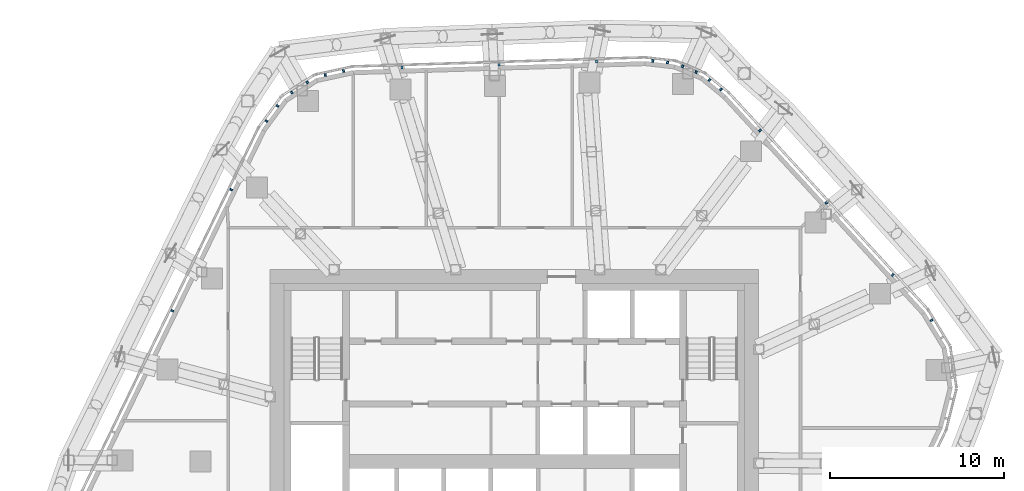
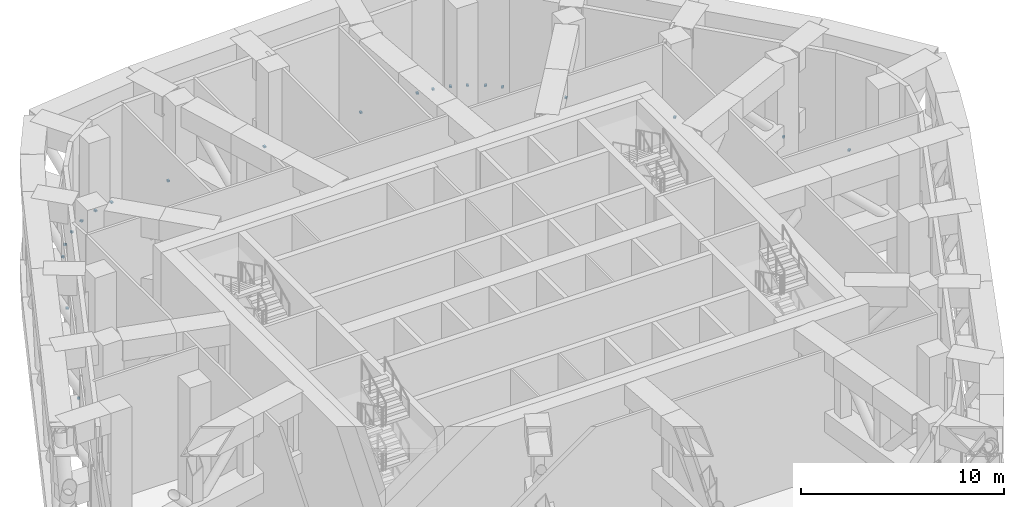
# One storey, part 17 of 21: 21 discrete accessories, 6 elements without a shape of their own.
"""IFC4 building model written with IfcOpenShell, lengths in metres."""

import ifcopenshell
import ifcopenshell.guid

model = None  # the IFC model being written
_history = None  # IfcOwnerHistory: only IFC2X3 demands one
_inside = {}  # id of a spatial element -> (the spatial element, [elements in it])
_under = {}  # id of a project, library or spatial element -> (it, [spatial elements below it])
_declared = {}  # id of a project -> (the project, [libraries it declares])
_typed = {}  # id of a type object -> (the type object, [elements of that type])
_made_of = {}  # id of a material, layer set ... -> (it, [elements and type objects made of it])


def new_model(schema):
    """Start an empty IFC model of exactly this schema.

    Asked for "IFC4X3", IfcOpenShell would pick the latest addendum, in which some entities
    have other attributes; the version numbers below select the first issue.
    IFC2X3 requires an IfcOwnerHistory on every rooted entity: one is made here for all.
    """
    global model, _history
    if schema == "IFC4X3":
        model = ifcopenshell.file(schema_version=(4, 3, 0, 0))
    else:
        model = ifcopenshell.file(schema=schema)
    _inside.clear()
    _under.clear()
    _declared.clear()
    _typed.clear()
    _made_of.clear()
    _history = None
    if model.schema == "IFC2X3":
        org = make("IfcOrganization", Name="unknown")
        user = make(
            "IfcPersonAndOrganization",
            ThePerson=make("IfcPerson", FamilyName="unknown"),
            TheOrganization=org,
        )
        app = make(
            "IfcApplication",
            ApplicationDeveloper=org,
            Version="unknown",
            ApplicationFullName="unknown",
            ApplicationIdentifier="unknown",
        )
        _history = make(
            "IfcOwnerHistory",
            OwningUser=user,
            OwningApplication=app,
            ChangeAction="ADDED",
            CreationDate=0,
        )
    return model


def make(cls, **values):
    """One entity of the class cls with the attributes given. An attribute that is None is left unset."""
    return model.create_entity(
        cls, **{name: value for name, value in values.items() if value is not None}
    )


def rooted(cls, **values):
    """An entity with a GlobalId (a new one), such as an element, a storey or a relation."""
    return make(cls, GlobalId=ifcopenshell.guid.new(), OwnerHistory=_history, **values)


def si_unit(unit_type, name, prefix=None):
    """IfcSIUnit, for example si_unit("LENGTHUNIT", "METRE", prefix="MILLI")."""
    return make("IfcSIUnit", UnitType=unit_type, Prefix=prefix, Name=name)


def assignment(units):
    """IfcUnitAssignment: the units of a project."""
    return None if units is None else make("IfcUnitAssignment", Units=units)


def point(xyz):
    """IfcCartesianPoint."""
    return None if xyz is None else make("IfcCartesianPoint", Coordinates=xyz)


def direction(xyz):
    """IfcDirection."""
    return None if xyz is None else make("IfcDirection", DirectionRatios=xyz)


def frame(location, z_axis=None, x_axis=None):
    """IfcAxis2Placement3D, a coordinate frame: its origin and axes. An axis left out is left unset."""
    return make(
        "IfcAxis2Placement3D",
        Location=point(location),
        Axis=direction(z_axis),
        RefDirection=direction(x_axis),
    )


def frame_2d(location, x_axis=None):
    """IfcAxis2Placement2D, a coordinate frame in the plane: its origin and x axis."""
    return make(
        "IfcAxis2Placement2D", Location=point(location), RefDirection=direction(x_axis)
    )


def origin():
    """The frame at (0, 0, 0) with its axes left unset."""
    return frame((0.0, 0.0, 0.0))


def origin_2d():
    """The frame at (0, 0) in the plane with its x axis left unset."""
    return frame_2d((0.0, 0.0))


def place(relative_to, where):
    """IfcLocalPlacement: puts the frame where relative to a parent placement (None: the world)."""
    return make(
        "IfcLocalPlacement", PlacementRelTo=relative_to, RelativePlacement=where
    )


def context(
    kind, dimensions, precision=None, world=None, true_north=None, identifier=None
):
    """IfcGeometricRepresentationContext, for example the 3D "Model" context."""
    return make(
        "IfcGeometricRepresentationContext",
        ContextIdentifier=identifier,
        ContextType=kind,
        CoordinateSpaceDimension=dimensions,
        Precision=precision,
        WorldCoordinateSystem=world,
        TrueNorth=true_north,
    )


def subcontext(parent, identifier, kind, view, scale=None):
    """IfcGeometricRepresentationSubContext, for example "Body" below "Model"."""
    return make(
        "IfcGeometricRepresentationSubContext",
        ContextIdentifier=identifier,
        ContextType=kind,
        ParentContext=parent,
        TargetScale=scale,
        TargetView=view,
    )


def project(units=None, contexts=None):
    """IfcProject with its units and contexts."""
    return rooted(
        "IfcProject",
        Name="project",
        RepresentationContexts=contexts,
        UnitsInContext=assignment(units),
    )


def spatial(cls, under=None, at=None, **own):
    """A site, building, storey or space (cls), placed at a placement, below another one or the project."""
    s = rooted(cls, ObjectPlacement=at, **own)
    if under is not None:
        _under.setdefault(under.id(), (under, []))[1].append(s)
    return s


def profile(cls, at=None, kind="AREA", **sizes):
    """A parametric profile (cls). Its sizes go by their IFC names, for example OverallWidth=200.0."""
    return make(cls, ProfileType=kind, Position=at, **sizes)


def rectangle(**sizes):
    """IfcRectangleProfileDef."""
    return profile("IfcRectangleProfileDef", **sizes)


def extrude(swept, where, along, depth):
    """IfcExtrudedAreaSolid: the profile swept, set in the frame where, extruded along a direction by depth."""
    return make(
        "IfcExtrudedAreaSolid",
        SweptArea=swept,
        Position=where,
        ExtrudedDirection=direction(along),
        Depth=depth,
    )


def shape(context_of_items, identifier, shape_type, items):
    """IfcShapeRepresentation: the items that make up one representation, for example the "Body"."""
    return make(
        "IfcShapeRepresentation",
        ContextOfItems=context_of_items,
        RepresentationIdentifier=identifier,
        RepresentationType=shape_type,
        Items=items,
    )


def material(Name=None, Category=None):
    """IfcMaterial."""
    return make("IfcMaterial", Name=Name, Category=Category)


def layer(
    of_material, thickness, ventilated=None, Name=None, Category=None, Priority=None
):
    """IfcMaterialLayer: one layer of a wall or slab, of a material (None: an air gap)."""
    return make(
        "IfcMaterialLayer",
        Material=of_material,
        LayerThickness=thickness,
        IsVentilated=ventilated,
        Name=Name,
        Category=Category,
        Priority=Priority,
    )


def layer_set(layers, Name=None):
    """IfcMaterialLayerSet."""
    return make("IfcMaterialLayerSet", MaterialLayers=layers, LayerSetName=Name)


def made_of(thing, what):
    """Note that an element or type object is made of a material, layer set ...; save() writes the relation."""
    if what is not None:
        _made_of.setdefault(what.id(), (what, []))[1].append(thing)
    return thing


def type_object(cls, material=None, **own):
    """A type object (cls), such as IfcWallType, which elements share."""
    return made_of(rooted(cls, **own), material)


def element(
    cls,
    number,
    at=None,
    inside=None,
    cuts=None,
    type_object=None,
    material=None,
    context=None,
    identifier="Body",
    shape_type=None,
    held_by="IfcProductDefinitionShape",
    body=None,
    shapes=None,
    **own,
):
    """One element of the class cls, such as IfcWall. Its Tag is "e" and its number.

    at: its placement. inside: the storey or other place that contains it. cuts: it is an
    opening in that element (IfcRelVoidsElement). A single representation is given by context,
    identifier, shape_type and body (its items); several are given by shapes. held_by: the class
    of the entity that holds the representations. save() writes the other relations.
    """
    e = rooted(cls, Tag="e%d" % number, ObjectPlacement=at, **own)
    if body is not None:
        shapes = [shape(context, identifier, shape_type, body)]
    if shapes is not None:
        e.Representation = make(held_by, Representations=shapes)
    if inside is not None:
        _inside.setdefault(inside.id(), (inside, []))[1].append(e)
    if cuts is not None:
        rooted(
            "IfcRelVoidsElement", RelatingBuildingElement=cuts, RelatedOpeningElement=e
        )
    if type_object is not None:
        _typed.setdefault(type_object.id(), (type_object, []))[1].append(e)
    return made_of(e, material)


def aggregate(whole, parts):
    """IfcRelAggregates: a whole, such as a stair, and the parts it consists of."""
    return rooted("IfcRelAggregates", RelatingObject=whole, RelatedObjects=parts)


def save(model, path):
    """Write the relations noted so far, then the file.

    IfcRelAggregates (storeys below a building ...), IfcRelContainedInSpatialStructure (elements
    in a storey), IfcRelDefinesByType, IfcRelAssociatesMaterial and IfcRelDeclares: one each for
    every whole, place, type object, material and project.
    """
    for whole, parts in _under.values():
        aggregate(whole, parts)
    for where, things in _inside.values():
        rooted(
            "IfcRelContainedInSpatialStructure",
            RelatedElements=things,
            RelatingStructure=where,
        )
    for kind, things in _typed.values():
        rooted("IfcRelDefinesByType", RelatedObjects=things, RelatingType=kind)
    for what, things in _made_of.values():
        rooted("IfcRelAssociatesMaterial", RelatedObjects=things, RelatingMaterial=what)
    for by, libraries in _declared.values():
        rooted("IfcRelDeclares", RelatingContext=by, RelatedDefinitions=libraries)
    model.write(path)


model = new_model("IFC4")

# Units and contexts
model_context = context("Model", 3, precision=1e-05, world=origin(), true_north=direction((0.0, 1.0)))
body_context = subcontext(model_context, "Body", "Model", "MODEL_VIEW")
ifc_project = project(units=[si_unit("LENGTHUNIT", "METRE"), si_unit("AREAUNIT", "SQUARE_METRE"), si_unit("VOLUMEUNIT", "CUBIC_METRE"), si_unit("PLANEANGLEUNIT", "RADIAN"), si_unit("MASSUNIT", "GRAM", prefix="KILO")], contexts=[model_context])

# Site, building, storey
site_placement = place(None, origin())
site = spatial("IfcSite", under=ifc_project, at=site_placement, CompositionType="ELEMENT")
building_placement = place(site_placement, origin())
building = spatial("IfcBuilding", under=site, at=building_placement, Name="Dongbaek Canopy Tower", CompositionType="ELEMENT")
storey_placement = place(building_placement, frame((0.0, 0.0, 220.60009765625)))
storey = spatial("IfcBuildingStorey", under=building, at=storey_placement, Name="L46", CompositionType="ELEMENT", Elevation=220.60009765625)

# Curtain wall, discrete accessory
ifc_material_1 = material(Name="Aluminium 6063-T6 pale anodised", Category="aluminium")
ifc_layer = layer(ifc_material_1, 0.14990234375)
ifc_layer_set = layer_set([ifc_layer], Name="CW-7 louvre curtain wall")
curtain_wall_type = type_object("IfcCurtainWallType", Name="CW-7 louvre curtain wall", PredefinedType="NOTDEFINED", material=ifc_layer_set)
curtain_wall_1_placement = place(storey_placement, origin())
curtain_wall_1 = element("IfcCurtainWall", 1, at=curtain_wall_1_placement, inside=storey, type_object=curtain_wall_type, Name="CW-7 louvre wall L46 K0", PredefinedType="NOTDEFINED")
ifc_material_2 = material(Name="Galvanised steel S355 bracket", Category="steel")
discrete_accessory_type = type_object("IfcDiscreteAccessoryType", Name="Louvre bracket BR1", PredefinedType="BRACKET", material=ifc_material_2)
discrete_accessory_1_placement = place(storey_placement, frame((23.90673828125, 8.102783203125, 1.664794921875), z_axis=(0.0, 0.0, 1.0), x_axis=(-0.518615180918, 0.855007774305, 0.0)))
discrete_accessory_1 = element("IfcDiscreteAccessory", 2, at=discrete_accessory_1_placement, type_object=discrete_accessory_type, Name="Louvre bracket L46 K0.3.2", PredefinedType="BRACKET", context=body_context, shape_type="SweptSolid", body=[
    extrude(rectangle(XDim=0.1201171875, YDim=0.14990234375, at=origin_2d()), origin(), (0.0, 0.0, 1.0), 0.10009765625),
])
aggregate(curtain_wall_1, [discrete_accessory_1])

# Curtain wall, discrete accessories
curtain_wall_2_placement = place(storey_placement, origin())
curtain_wall_2 = element("IfcCurtainWall", 3, at=curtain_wall_2_placement, inside=storey, type_object=curtain_wall_type, Name="CW-7 louvre wall L46 F0", PredefinedType="NOTDEFINED")
discrete_accessory_2_placement = place(storey_placement, frame((21.681396484375, 10.70068359375, 1.664794921875), z_axis=(0.0, 0.0, 1.0), x_axis=(-0.676392029958, 0.736541799092, 0.0)))
discrete_accessory_2 = element("IfcDiscreteAccessory", 4, at=discrete_accessory_2_placement, type_object=discrete_accessory_type, Name="Louvre bracket L46 F0.1.1", PredefinedType="BRACKET", context=body_context, shape_type="SweptSolid", body=[
    extrude(rectangle(XDim=0.1201171875, YDim=0.14990234375, at=origin_2d()), origin(), (0.0, 0.0, 1.0), 0.10009765625),
])
discrete_accessory_3_placement = place(storey_placement, frame((17.881103515625, 14.8388671875, 1.664794921875), z_axis=(0.0, 0.0, 1.0), x_axis=(-0.676392029958, 0.736541799092, 0.0)))
discrete_accessory_3 = element("IfcDiscreteAccessory", 5, at=discrete_accessory_3_placement, type_object=discrete_accessory_type, Name="Louvre bracket L46 F0.1.2", PredefinedType="BRACKET", context=body_context, shape_type="SweptSolid", body=[
    extrude(rectangle(XDim=0.1201171875, YDim=0.14990234375, at=origin_2d()), origin(), (0.0, 0.0, 1.0), 0.10009765625),
])
discrete_accessory_4_placement = place(storey_placement, frame((14.080810546875, 18.97705078125, 1.664794921875), z_axis=(0.0, 0.0, 1.0), x_axis=(-0.676392029958, 0.736541799092, 0.0)))
discrete_accessory_4 = element("IfcDiscreteAccessory", 6, at=discrete_accessory_4_placement, type_object=discrete_accessory_type, Name="Louvre bracket L46 F0.1.3", PredefinedType="BRACKET", context=body_context, shape_type="SweptSolid", body=[
    extrude(rectangle(XDim=0.1201171875, YDim=0.14990234375, at=origin_2d()), origin(), (0.0, 0.0, 1.0), 0.10009765625),
])
aggregate(curtain_wall_2, [discrete_accessory_2, discrete_accessory_3, discrete_accessory_4])

curtain_wall_3_placement = place(storey_placement, origin())
curtain_wall_3 = element("IfcCurtainWall", 7, at=curtain_wall_3_placement, inside=storey, type_object=curtain_wall_type, Name="CW-7 louvre wall L46 K1", PredefinedType="NOTDEFINED")
discrete_accessory_5_placement = place(storey_placement, frame((11.83251953125, 21.3330078125, 1.664794921875), z_axis=(0.0, 0.0, 1.0), x_axis=(-0.774551208084, 0.632511206269, 0.0)))
discrete_accessory_5 = element("IfcDiscreteAccessory", 8, at=discrete_accessory_5_placement, type_object=discrete_accessory_type, Name="Louvre bracket L46 K1.1.1", PredefinedType="BRACKET", context=body_context, shape_type="SweptSolid", body=[
    extrude(rectangle(XDim=0.1201171875, YDim=0.14990234375, at=origin_2d()), origin(), (0.0, 0.0, 1.0), 0.10009765625),
])
discrete_accessory_6_placement = place(storey_placement, frame((11.177978515625, 21.86767578125, 1.664794921875), z_axis=(0.0, 0.0, 1.0), x_axis=(-0.774551208084, 0.632511206269, 0.0)))
discrete_accessory_6 = element("IfcDiscreteAccessory", 9, at=discrete_accessory_6_placement, type_object=discrete_accessory_type, Name="Louvre bracket L46 K1.1.2", PredefinedType="BRACKET", context=body_context, shape_type="SweptSolid", body=[
    extrude(rectangle(XDim=0.1201171875, YDim=0.14990234375, at=origin_2d()), origin(), (0.0, 0.0, 1.0), 0.10009765625),
])
discrete_accessory_7_placement = place(storey_placement, frame((10.413818359375, 22.32763671875, 1.664794921875), z_axis=(0.0, 0.0, 1.0), x_axis=(-0.921649274302, 0.38802398789, 0.0)))
discrete_accessory_7 = element("IfcDiscreteAccessory", 10, at=discrete_accessory_7_placement, type_object=discrete_accessory_type, Name="Louvre bracket L46 K1.2.1", PredefinedType="BRACKET", context=body_context, shape_type="SweptSolid", body=[
    extrude(rectangle(XDim=0.1201171875, YDim=0.14990234375, at=origin_2d()), origin(), (0.0, 0.0, 1.0), 0.10009765625),
])
discrete_accessory_8_placement = place(storey_placement, frame((9.63818359375, 22.654296875, 1.664794921875), z_axis=(0.0, 0.0, 1.0), x_axis=(-0.921649274302, 0.38802398789, 0.0)))
discrete_accessory_8 = element("IfcDiscreteAccessory", 11, at=discrete_accessory_8_placement, type_object=discrete_accessory_type, Name="Louvre bracket L46 K1.2.2", PredefinedType="BRACKET", context=body_context, shape_type="SweptSolid", body=[
    extrude(rectangle(XDim=0.1201171875, YDim=0.14990234375, at=origin_2d()), origin(), (0.0, 0.0, 1.0), 0.10009765625),
])
discrete_accessory_9_placement = place(storey_placement, frame((8.775390625, 22.879150390625, 1.664794921875), z_axis=(0.0, 0.0, 1.0), x_axis=(-0.993714176312, 0.111947022273, 0.0)))
discrete_accessory_9 = element("IfcDiscreteAccessory", 12, at=discrete_accessory_9_placement, type_object=discrete_accessory_type, Name="Louvre bracket L46 K1.3.1", PredefinedType="BRACKET", context=body_context, shape_type="SweptSolid", body=[
    extrude(rectangle(XDim=0.1201171875, YDim=0.14990234375, at=origin_2d()), origin(), (0.0, 0.0, 1.0), 0.10009765625),
])
discrete_accessory_10_placement = place(storey_placement, frame((7.935546875, 22.973876953125, 1.664794921875), z_axis=(0.0, 0.0, 1.0), x_axis=(-0.993714176312, 0.111947022273, 0.0)))
discrete_accessory_10 = element("IfcDiscreteAccessory", 13, at=discrete_accessory_10_placement, type_object=discrete_accessory_type, Name="Louvre bracket L46 K1.3.2", PredefinedType="BRACKET", context=body_context, shape_type="SweptSolid", body=[
    extrude(rectangle(XDim=0.1201171875, YDim=0.14990234375, at=origin_2d()), origin(), (0.0, 0.0, 1.0), 0.10009765625),
])
aggregate(curtain_wall_3, [discrete_accessory_5, discrete_accessory_6, discrete_accessory_7, discrete_accessory_8, discrete_accessory_9, discrete_accessory_10])

curtain_wall_4_placement = place(storey_placement, origin())
curtain_wall_4 = element("IfcCurtainWall", 14, at=curtain_wall_4_placement, inside=storey, type_object=curtain_wall_type, Name="CW-7 louvre wall L46 F1", PredefinedType="NOTDEFINED")
discrete_accessory_11_placement = place(storey_placement, frame((4.699462890625, 22.93603515625, 1.664794921875), z_axis=(0.0, 0.0, 1.0), x_axis=(-0.999520466228, -0.030965102792, 0.0)))
discrete_accessory_11 = element("IfcDiscreteAccessory", 15, at=discrete_accessory_11_placement, type_object=discrete_accessory_type, Name="Louvre bracket L46 F1.1.1", PredefinedType="BRACKET", context=body_context, shape_type="SweptSolid", body=[
    extrude(rectangle(XDim=0.1201171875, YDim=0.14990234375, at=origin_2d()), origin(), (0.0, 0.0, 1.0), 0.10009765625),
])
discrete_accessory_12_placement = place(storey_placement, frame((-0.875244140625, 22.76318359375, 1.664794921875), z_axis=(0.0, 0.0, 1.0), x_axis=(-0.999520466228, -0.030965102792, 0.0)))
discrete_accessory_12 = element("IfcDiscreteAccessory", 16, at=discrete_accessory_12_placement, type_object=discrete_accessory_type, Name="Louvre bracket L46 F1.1.2", PredefinedType="BRACKET", context=body_context, shape_type="SweptSolid", body=[
    extrude(rectangle(XDim=0.1201171875, YDim=0.14990234375, at=origin_2d()), origin(), (0.0, 0.0, 1.0), 0.10009765625),
])
discrete_accessory_13_placement = place(storey_placement, frame((-6.449951171875, 22.590576171875, 1.664794921875), z_axis=(0.0, 0.0, 1.0), x_axis=(-0.999520466228, -0.030965102792, 0.0)))
discrete_accessory_13 = element("IfcDiscreteAccessory", 17, at=discrete_accessory_13_placement, type_object=discrete_accessory_type, Name="Louvre bracket L46 F1.1.3", PredefinedType="BRACKET", context=body_context, shape_type="SweptSolid", body=[
    extrude(rectangle(XDim=0.1201171875, YDim=0.14990234375, at=origin_2d()), origin(), (0.0, 0.0, 1.0), 0.10009765625),
])
aggregate(curtain_wall_4, [discrete_accessory_11, discrete_accessory_12, discrete_accessory_13])

curtain_wall_5_placement = place(storey_placement, origin())
curtain_wall_5 = element("IfcCurtainWall", 18, at=curtain_wall_5_placement, inside=storey, type_object=curtain_wall_type, Name="CW-7 louvre wall L46 K2", PredefinedType="NOTDEFINED")
discrete_accessory_14_placement = place(storey_placement, frame((-9.795166015625, 22.38720703125, 1.664794921875), z_axis=(0.0, 0.0, 1.0), x_axis=(-0.977554319534, -0.210683536046, 0.0)))
discrete_accessory_14 = element("IfcDiscreteAccessory", 19, at=discrete_accessory_14_placement, type_object=discrete_accessory_type, Name="Louvre bracket L46 K2.1.1", PredefinedType="BRACKET", context=body_context, shape_type="SweptSolid", body=[
    extrude(rectangle(XDim=0.1201171875, YDim=0.14990234375, at=origin_2d()), origin(), (0.0, 0.0, 1.0), 0.10009765625),
])
discrete_accessory_15_placement = place(storey_placement, frame((-10.83935546875, 22.162109375, 1.664794921875), z_axis=(0.0, 0.0, 1.0), x_axis=(-0.977554319534, -0.210683536046, 0.0)))
discrete_accessory_15 = element("IfcDiscreteAccessory", 20, at=discrete_accessory_15_placement, type_object=discrete_accessory_type, Name="Louvre bracket L46 K2.1.2", PredefinedType="BRACKET", context=body_context, shape_type="SweptSolid", body=[
    extrude(rectangle(XDim=0.1201171875, YDim=0.14990234375, at=origin_2d()), origin(), (0.0, 0.0, 1.0), 0.10009765625),
])
discrete_accessory_16_placement = place(storey_placement, frame((-11.87451171875, 21.73291015625, 1.664794921875), z_axis=(0.0, 0.0, 1.0), x_axis=(-0.839256302174, -0.543736019831, 0.0)))
discrete_accessory_16 = element("IfcDiscreteAccessory", 21, at=discrete_accessory_16_placement, type_object=discrete_accessory_type, Name="Louvre bracket L46 K2.2.1", PredefinedType="BRACKET", context=body_context, shape_type="SweptSolid", body=[
    extrude(rectangle(XDim=0.1201171875, YDim=0.14990234375, at=origin_2d()), origin(), (0.0, 0.0, 1.0), 0.10009765625),
])
discrete_accessory_17_placement = place(storey_placement, frame((-12.76708984375, 21.154541015625, 1.664794921875), z_axis=(0.0, 0.0, 1.0), x_axis=(-0.839256302174, -0.543736019831, 0.0)))
discrete_accessory_17 = element("IfcDiscreteAccessory", 22, at=discrete_accessory_17_placement, type_object=discrete_accessory_type, Name="Louvre bracket L46 K2.2.2", PredefinedType="BRACKET", context=body_context, shape_type="SweptSolid", body=[
    extrude(rectangle(XDim=0.1201171875, YDim=0.14990234375, at=origin_2d()), origin(), (0.0, 0.0, 1.0), 0.10009765625),
])
discrete_accessory_18_placement = place(storey_placement, frame((-13.581787109375, 20.385498046875, 1.664794921875), z_axis=(0.0, 0.0, 1.0), x_axis=(-0.591812752147, -0.806075471898, 0.0)))
discrete_accessory_18 = element("IfcDiscreteAccessory", 23, at=discrete_accessory_18_placement, type_object=discrete_accessory_type, Name="Louvre bracket L46 K2.3.1", PredefinedType="BRACKET", context=body_context, shape_type="SweptSolid", body=[
    extrude(rectangle(XDim=0.1201171875, YDim=0.14990234375, at=origin_2d()), origin(), (0.0, 0.0, 1.0), 0.10009765625),
])
discrete_accessory_19_placement = place(storey_placement, frame((-14.214111328125, 19.5244140625, 1.664794921875), z_axis=(0.0, 0.0, 1.0), x_axis=(-0.591812752147, -0.806075471898, 0.0)))
discrete_accessory_19 = element("IfcDiscreteAccessory", 24, at=discrete_accessory_19_placement, type_object=discrete_accessory_type, Name="Louvre bracket L46 K2.3.2", PredefinedType="BRACKET", context=body_context, shape_type="SweptSolid", body=[
    extrude(rectangle(XDim=0.1201171875, YDim=0.14990234375, at=origin_2d()), origin(), (0.0, 0.0, 1.0), 0.10009765625),
])
aggregate(curtain_wall_5, [discrete_accessory_14, discrete_accessory_15, discrete_accessory_16, discrete_accessory_17, discrete_accessory_18, discrete_accessory_19])

curtain_wall_6_placement = place(storey_placement, origin())
curtain_wall_6 = element("IfcCurtainWall", 25, at=curtain_wall_6_placement, inside=storey, type_object=curtain_wall_type, Name="CW-7 louvre wall L46 F2", PredefinedType="NOTDEFINED")
discrete_accessory_20_placement = place(storey_placement, frame((-16.235595703125, 15.5888671875, 1.664794921875), z_axis=(0.0, 0.0, 1.0), x_axis=(-0.436767146018, -0.899574599552, 0.0)))
discrete_accessory_20 = element("IfcDiscreteAccessory", 26, at=discrete_accessory_20_placement, type_object=discrete_accessory_type, Name="Louvre bracket L46 F2.1.1", PredefinedType="BRACKET", context=body_context, shape_type="SweptSolid", body=[
    extrude(rectangle(XDim=0.1201171875, YDim=0.14990234375, at=origin_2d()), origin(), (0.0, 0.0, 1.0), 0.10009765625),
])
discrete_accessory_21_placement = place(storey_placement, frame((-19.60888671875, 8.640869140625, 1.664794921875), z_axis=(0.0, 0.0, 1.0), x_axis=(-0.436767146018, -0.899574599552, 0.0)))
discrete_accessory_21 = element("IfcDiscreteAccessory", 27, at=discrete_accessory_21_placement, type_object=discrete_accessory_type, Name="Louvre bracket L46 F2.1.2", PredefinedType="BRACKET", context=body_context, shape_type="SweptSolid", body=[
    extrude(rectangle(XDim=0.1201171875, YDim=0.14990234375, at=origin_2d()), origin(), (0.0, 0.0, 1.0), 0.10009765625),
])
aggregate(curtain_wall_6, [discrete_accessory_20, discrete_accessory_21])

save(model, "model.ifc")
